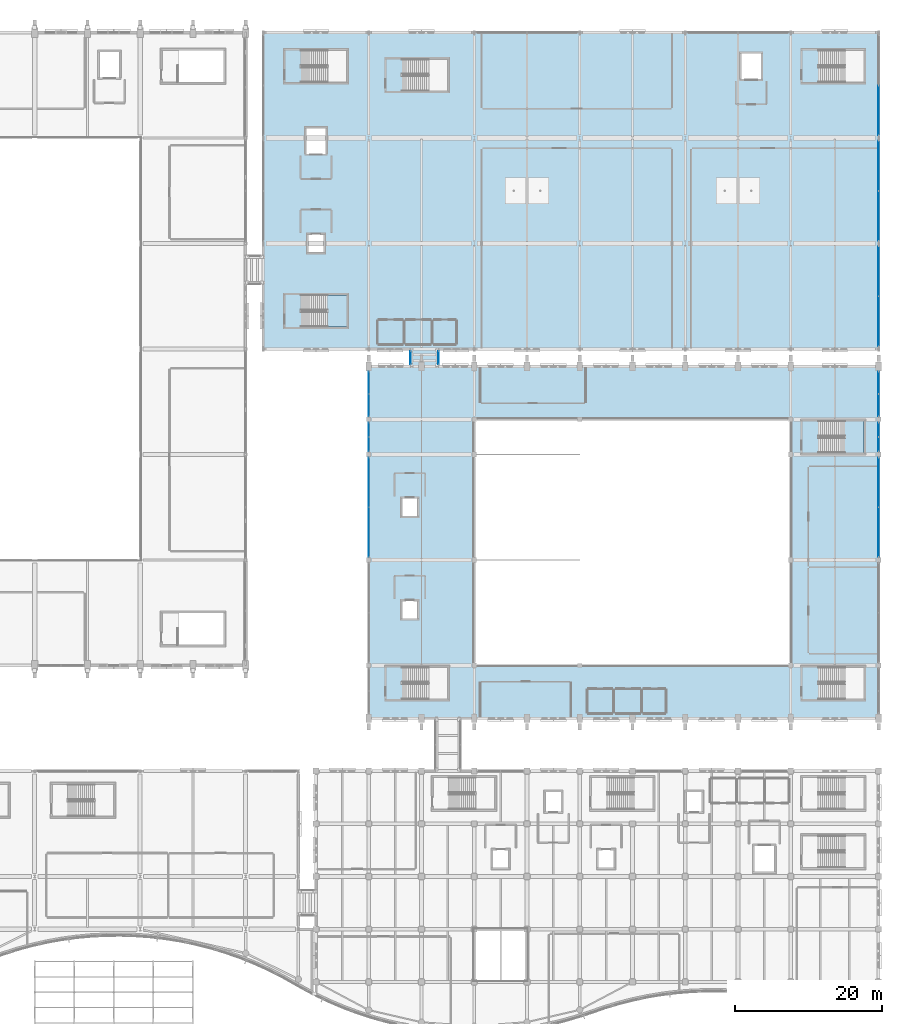
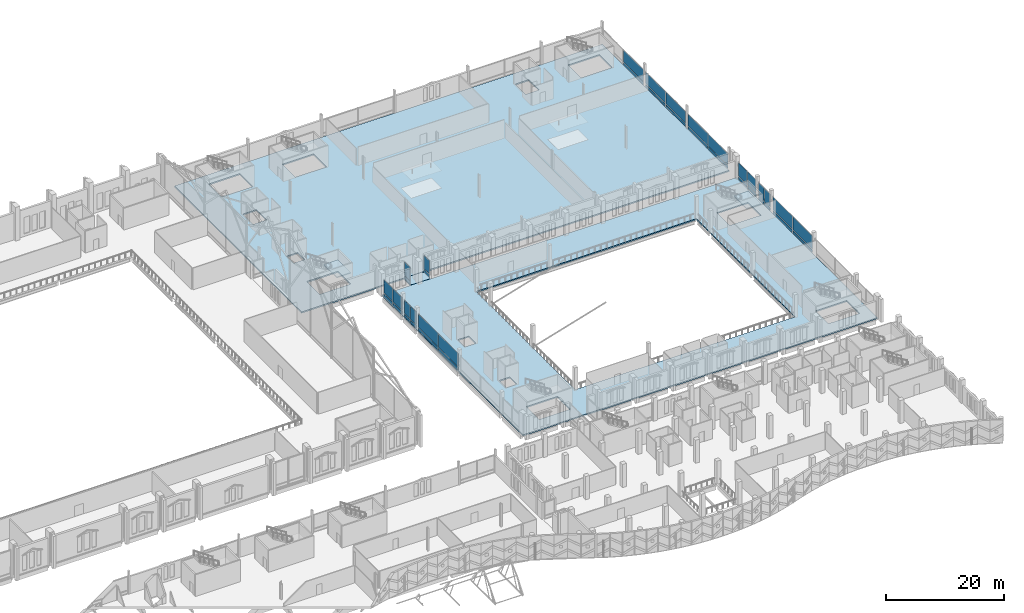
# One storey, part 133 of 220: 38 plates, 5 slabs, 13 elements without a shape of their own.
"""IFC4 building model written with IfcOpenShell, lengths in metres."""

from ifc_helpers import new_model, si_unit, direction, frame, origin, origin_2d, place, context, subcontext, project, spatial, polyline, rectangle, outline, extrude, material, layer, layer_set, type_object, element, aggregate, save


model = new_model("IFC4")

# Units and contexts
model_context = context("Model", 3, precision=1e-05, world=origin(), true_north=direction((0.0, 1.0)))
body_context = subcontext(model_context, "Body", "Model", "MODEL_VIEW")
ifc_project = project(units=[si_unit("LENGTHUNIT", "METRE"), si_unit("AREAUNIT", "SQUARE_METRE"), si_unit("VOLUMEUNIT", "CUBIC_METRE"), si_unit("PLANEANGLEUNIT", "RADIAN"), si_unit("MASSUNIT", "GRAM", prefix="KILO")], contexts=[model_context])

# Site, building, storey
site_placement = place(None, origin())
site = spatial("IfcSite", under=ifc_project, at=site_placement, CompositionType="ELEMENT")
building_placement = place(site_placement, origin())
building = spatial("IfcBuilding", under=site, at=building_placement, Name="Cendralis Lancet Convention Centre", CompositionType="ELEMENT")
storey_placement = place(building_placement, frame((0.0, 0.0, 5.39990234375)))
storey = spatial("IfcBuildingStorey", under=building, at=storey_placement, Name="L01", CompositionType="ELEMENT", Elevation=5.39990234375)

# Curtain wall, plate
ifc_material_1 = material(Name="Anodised bronze architectural aluminium", Category="aluminium")
curtain_wall_type_1 = type_object("IfcCurtainWallType", Name="ARC-CW-BR01", PredefinedType="USERDEFINED", material=ifc_material_1)
curtain_wall_1_placement = place(storey_placement, origin())
curtain_wall_1 = element("IfcCurtainWall", 1, at=curtain_wall_1_placement, inside=storey, type_object=curtain_wall_type_1, Name="L01 Curtain Wall CW-BR1 #197", ObjectType="CURTAIN WALL", PredefinedType="USERDEFINED")
ifc_material_2 = material(Name="Double-glazed low-E solar-control glass", Category="glass")
ifc_layer_1 = layer(ifc_material_2, 0.035888671875, Name="Double-glazed low-E solar-control glass")
ifc_layer_set_1 = layer_set([ifc_layer_1], Name="Double-glazed low-E solar-control glass")
plate_type_1 = type_object("IfcPlateType", Name="ARC-PL-GL01", PredefinedType="CURTAIN_PANEL", material=ifc_layer_set_1)
plate_1_placement = place(storey_placement, frame((144.8798828125, 92.39990234375, 0.820068359375), z_axis=(0.0, 0.0, 1.0), x_axis=(0.0, 1.0, 0.0)))
plate_1 = element("IfcPlate", 2, at=plate_1_placement, type_object=plate_type_1, Name="Vision Glass Panel CW2-CW-BR1-L01-197-PG0", PredefinedType="CURTAIN_PANEL", context=body_context, shape_type="SweptSolid", body=[
    extrude(rectangle(XDim=1.760009765625, YDim=0.035888671875, at=origin_2d()), origin(), (0.0, 0.0, 1.0), 2.7451171875),
])

curtain_wall_2_placement = place(storey_placement, origin())
curtain_wall_2 = element("IfcCurtainWall", 3, at=curtain_wall_2_placement, inside=storey, type_object=curtain_wall_type_1, Name="L01 Curtain Wall CW-BR1 #198", ObjectType="CURTAIN WALL", PredefinedType="USERDEFINED")
plate_2_placement = place(storey_placement, frame((148.719970703125, 92.39990234375, 0.820068359375), z_axis=(0.0, 0.0, 1.0), x_axis=(0.0, 1.0, 0.0)))
plate_2 = element("IfcPlate", 4, at=plate_2_placement, type_object=plate_type_1, Name="Vision Glass Panel CW2-CW-BR1-L01-198-PG0", PredefinedType="CURTAIN_PANEL", context=body_context, shape_type="SweptSolid", body=[
    extrude(rectangle(XDim=1.760009765625, YDim=0.035888671875, at=origin_2d()), origin(), (0.0, 0.0, 1.0), 2.7451171875),
])

# Curtain wall, plates
curtain_wall_type_2 = type_object("IfcCurtainWallType", Name="ARC-CW-PL01", PredefinedType="USERDEFINED", material=ifc_material_1)
curtain_wall_3_placement = place(storey_placement, origin())
curtain_wall_3 = element("IfcCurtainWall", 5, at=curtain_wall_3_placement, inside=storey, type_object=curtain_wall_type_2, Name="L01 Curtain Wall CW-PL1 #123", ObjectType="CURTAIN WALL", PredefinedType="USERDEFINED")
ifc_layer_2 = layer(ifc_material_2, 0.035888671875, Name="Double-glazed low-E solar-control glass")
ifc_layer_set_2 = layer_set([ifc_layer_2], Name="Double-glazed low-E solar-control glass")
plate_type_2 = type_object("IfcPlateType", Name="ARC-PL-GL02", PredefinedType="CURTAIN_PANEL", material=ifc_layer_set_2)
plate_3_placement = place(storey_placement, frame((208.800048828125, 75.41259765625, 0.830078125), z_axis=(0.0, 0.0, 1.0), x_axis=(0.0, -1.0, 0.0)))
plate_3 = element("IfcPlate", 6, at=plate_3_placement, type_object=plate_type_2, Name="Vision Glass Panel CW2-CW-PL1-L01-123-PG0", PredefinedType="CURTAIN_PANEL", context=body_context, shape_type="SweptSolid", body=[
    extrude(rectangle(XDim=6.6650390625, YDim=0.035888671875, at=origin_2d()), origin(), (0.0, 0.0, 1.0), 2.72509765625),
])
plate_4_placement = place(storey_placement, frame((208.800048828125, 68.58740234375, 0.830078125), z_axis=(0.0, 0.0, 1.0), x_axis=(0.0, -1.0, 0.0)))
plate_4 = element("IfcPlate", 7, at=plate_4_placement, type_object=plate_type_2, Name="Vision Glass Panel CW2-CW-PL1-L01-123-PG1", PredefinedType="CURTAIN_PANEL", context=body_context, shape_type="SweptSolid", body=[
    extrude(rectangle(XDim=6.6650390625, YDim=0.035888671875, at=origin_2d()), origin(), (0.0, 0.0, 1.0), 2.72509765625),
])

curtain_wall_4_placement = place(storey_placement, origin())
curtain_wall_4 = element("IfcCurtainWall", 8, at=curtain_wall_4_placement, inside=storey, type_object=curtain_wall_type_2, Name="L01 Curtain Wall CW-PL1 #124", ObjectType="CURTAIN WALL", PredefinedType="USERDEFINED")
plate_5_placement = place(storey_placement, frame((208.800048828125, 82.612548828125, 0.830078125), z_axis=(0.0, 0.0, 1.0), x_axis=(0.0, -1.0, 0.0)))
plate_5 = element("IfcPlate", 9, at=plate_5_placement, type_object=plate_type_2, Name="Vision Glass Panel CW2-CW-PL1-L01-124-PG0", PredefinedType="CURTAIN_PANEL", context=body_context, shape_type="SweptSolid", body=[
    extrude(rectangle(XDim=1.864990234375, YDim=0.035888671875, at=origin_2d()), origin(), (0.0, 0.0, 1.0), 2.72509765625),
])
plate_6_placement = place(storey_placement, frame((208.800048828125, 80.58740234375, 0.830078125), z_axis=(0.0, 0.0, 1.0), x_axis=(0.0, -1.0, 0.0)))
plate_6 = element("IfcPlate", 10, at=plate_6_placement, type_object=plate_type_2, Name="Vision Glass Panel CW2-CW-PL1-L01-124-PG1", PredefinedType="CURTAIN_PANEL", context=body_context, shape_type="SweptSolid", body=[
    extrude(rectangle(XDim=1.864990234375, YDim=0.035888671875, at=origin_2d()), origin(), (0.0, 0.0, 1.0), 2.72509765625),
])

curtain_wall_5_placement = place(storey_placement, origin())
curtain_wall_5 = element("IfcCurtainWall", 11, at=curtain_wall_5_placement, inside=storey, type_object=curtain_wall_type_2, Name="L01 Curtain Wall CW-PL1 #125", ObjectType="CURTAIN WALL", PredefinedType="USERDEFINED")
plate_7_placement = place(storey_placement, frame((208.800048828125, 89.006103515625, 0.830078125), z_axis=(0.0, 0.0, 1.0), x_axis=(0.0, -1.0, 0.0)))
plate_7 = element("IfcPlate", 12, at=plate_7_placement, type_object=plate_type_2, Name="Vision Glass Panel CW2-CW-PL1-L01-125-PG0", PredefinedType="CURTAIN_PANEL", context=body_context, shape_type="SweptSolid", body=[
    extrude(rectangle(XDim=2.927490234375, YDim=0.035888671875, at=origin_2d()), origin(), (0.0, 0.0, 1.0), 2.72509765625),
])
plate_8_placement = place(storey_placement, frame((208.800048828125, 85.918701171875, 0.830078125), z_axis=(0.0, 0.0, 1.0), x_axis=(0.0, -1.0, 0.0)))
plate_8 = element("IfcPlate", 13, at=plate_8_placement, type_object=plate_type_2, Name="Vision Glass Panel CW2-CW-PL1-L01-125-PG1", PredefinedType="CURTAIN_PANEL", context=body_context, shape_type="SweptSolid", body=[
    extrude(rectangle(XDim=2.927490234375, YDim=0.035888671875, at=origin_2d()), origin(), (0.0, 0.0, 1.0), 2.72509765625),
])

curtain_wall_type_3 = type_object("IfcCurtainWallType", Name="ARC-CW-BL02", PredefinedType="USERDEFINED", material=ifc_material_1)
curtain_wall_6_placement = place(storey_placement, origin())
curtain_wall_6 = element("IfcCurtainWall", 14, at=curtain_wall_6_placement, inside=storey, type_object=curtain_wall_type_3, Name="L01 Curtain Wall CW-BL2 #152", ObjectType="CURTAIN WALL", PredefinedType="USERDEFINED")
plate_9_placement = place(storey_placement, frame((208.800048828125, 104.237548828125, 0.792724609375), z_axis=(0.0, 0.0, 1.0), x_axis=(0.0, -1.0, 0.0)))
plate_9 = element("IfcPlate", 15, at=plate_9_placement, type_object=plate_type_2, Name="Vision Glass Panel CW2-CW-BL2-L01-152-PG0", PredefinedType="CURTAIN_PANEL", context=body_context, shape_type="SweptSolid", body=[
    extrude(rectangle(XDim=6.715087890625, YDim=0.035888671875, at=origin_2d()), origin(), (0.0, 0.0, 1.0), 2.42236328125),
])
plate_10_placement = place(storey_placement, frame((208.800048828125, 97.362548828125, 0.792724609375), z_axis=(0.0, 0.0, 1.0), x_axis=(0.0, -1.0, 0.0)))
plate_10 = element("IfcPlate", 16, at=plate_10_placement, type_object=plate_type_2, Name="Vision Glass Panel CW2-CW-BL2-L01-152-PG1", PredefinedType="CURTAIN_PANEL", context=body_context, shape_type="SweptSolid", body=[
    extrude(rectangle(XDim=6.715087890625, YDim=0.035888671875, at=origin_2d()), origin(), (0.0, 0.0, 1.0), 2.42236328125),
])

curtain_wall_7_placement = place(storey_placement, origin())
curtain_wall_7 = element("IfcCurtainWall", 17, at=curtain_wall_7_placement, inside=storey, type_object=curtain_wall_type_3, Name="L01 Curtain Wall CW-BL2 #153", ObjectType="CURTAIN WALL", PredefinedType="USERDEFINED")
plate_11_placement = place(storey_placement, frame((208.800048828125, 118.637451171875, 0.792724609375), z_axis=(0.0, 0.0, 1.0), x_axis=(0.0, -1.0, 0.0)))
plate_11 = element("IfcPlate", 18, at=plate_11_placement, type_object=plate_type_2, Name="Vision Glass Panel CW2-CW-BL2-L01-153-PG0", PredefinedType="CURTAIN_PANEL", context=body_context, shape_type="SweptSolid", body=[
    extrude(rectangle(XDim=6.715087890625, YDim=0.035888671875, at=origin_2d()), origin(), (0.0, 0.0, 1.0), 2.42236328125),
])
plate_12_placement = place(storey_placement, frame((208.800048828125, 111.762451171875, 0.792724609375), z_axis=(0.0, 0.0, 1.0), x_axis=(0.0, -1.0, 0.0)))
plate_12 = element("IfcPlate", 19, at=plate_12_placement, type_object=plate_type_2, Name="Vision Glass Panel CW2-CW-BL2-L01-153-PG1", PredefinedType="CURTAIN_PANEL", context=body_context, shape_type="SweptSolid", body=[
    extrude(rectangle(XDim=6.715087890625, YDim=0.035888671875, at=origin_2d()), origin(), (0.0, 0.0, 1.0), 2.42236328125),
])

# Curtain wall, plate
curtain_wall_8_placement = place(storey_placement, origin())
curtain_wall_8 = element("IfcCurtainWall", 20, at=curtain_wall_8_placement, inside=storey, type_object=curtain_wall_type_3, Name="L01 Curtain Wall CW-BL2 #154", ObjectType="CURTAIN WALL", PredefinedType="USERDEFINED")
plate_13_placement = place(storey_placement, frame((208.800048828125, 126.16259765625, 0.792724609375), z_axis=(0.0, 0.0, 1.0), x_axis=(0.0, -1.0, 0.0)))
plate_13 = element("IfcPlate", 21, at=plate_13_placement, type_object=plate_type_2, Name="Vision Glass Panel CW2-CW-BL2-L01-154-PG1", PredefinedType="CURTAIN_PANEL", context=body_context, shape_type="SweptSolid", body=[
    extrude(rectangle(XDim=6.715087890625, YDim=0.035888671875, at=origin_2d()), origin(), (0.0, 0.0, 1.0), 2.42236328125),
])

# Curtain wall, plates
curtain_wall_9_placement = place(storey_placement, origin())
curtain_wall_9 = element("IfcCurtainWall", 22, at=curtain_wall_9_placement, inside=storey, type_object=curtain_wall_type_2, Name="L01 Curtain Wall CW-PL1 #118", ObjectType="CURTAIN WALL", PredefinedType="USERDEFINED")
ifc_layer_3 = layer(ifc_material_2, 0.035888671875, Name="Double-glazed low-E solar-control glass")
ifc_layer_set_3 = layer_set([ifc_layer_3], Name="Double-glazed low-E solar-control glass")
plate_type_3 = type_object("IfcPlateType", Name="ARC-PL-GL03", PredefinedType="CURTAIN_PANEL", material=ifc_layer_set_3)
plate_14_placement = place(storey_placement, frame((139.199951171875, 68.58740234375, 0.820068359375), z_axis=(0.0, 0.0, 1.0), x_axis=(0.0, 1.0, 0.0)))
plate_14 = element("IfcPlate", 23, at=plate_14_placement, type_object=plate_type_3, Name="Vision Glass Panel CW2-CW-PL1-L01-118-PG0", PredefinedType="CURTAIN_PANEL", context=body_context, shape_type="SweptSolid", body=[
    extrude(rectangle(XDim=6.6650390625, YDim=0.035888671875, at=origin_2d()), origin(), (0.0, 0.0, 1.0), 2.7451171875),
])
plate_15_placement = place(storey_placement, frame((139.199951171875, 75.41259765625, 0.820068359375), z_axis=(0.0, 0.0, 1.0), x_axis=(0.0, 1.0, 0.0)))
plate_15 = element("IfcPlate", 24, at=plate_15_placement, type_object=plate_type_3, Name="Vision Glass Panel CW2-CW-PL1-L01-118-PG1", PredefinedType="CURTAIN_PANEL", context=body_context, shape_type="SweptSolid", body=[
    extrude(rectangle(XDim=6.6650390625, YDim=0.035888671875, at=origin_2d()), origin(), (0.0, 0.0, 1.0), 2.7451171875),
])

curtain_wall_10_placement = place(storey_placement, origin())
curtain_wall_10 = element("IfcCurtainWall", 25, at=curtain_wall_10_placement, inside=storey, type_object=curtain_wall_type_2, Name="L01 Curtain Wall CW-PL1 #119", ObjectType="CURTAIN WALL", PredefinedType="USERDEFINED")
plate_16_placement = place(storey_placement, frame((139.199951171875, 80.58740234375, 0.820068359375), z_axis=(0.0, 0.0, 1.0), x_axis=(0.0, 1.0, 0.0)))
plate_16 = element("IfcPlate", 26, at=plate_16_placement, type_object=plate_type_3, Name="Vision Glass Panel CW2-CW-PL1-L01-119-PG0", PredefinedType="CURTAIN_PANEL", context=body_context, shape_type="SweptSolid", body=[
    extrude(rectangle(XDim=1.864990234375, YDim=0.035888671875, at=origin_2d()), origin(), (0.0, 0.0, 1.0), 2.7451171875),
])
plate_17_placement = place(storey_placement, frame((139.199951171875, 82.612548828125, 0.820068359375), z_axis=(0.0, 0.0, 1.0), x_axis=(0.0, 1.0, 0.0)))
plate_17 = element("IfcPlate", 27, at=plate_17_placement, type_object=plate_type_3, Name="Vision Glass Panel CW2-CW-PL1-L01-119-PG1", PredefinedType="CURTAIN_PANEL", context=body_context, shape_type="SweptSolid", body=[
    extrude(rectangle(XDim=1.864990234375, YDim=0.035888671875, at=origin_2d()), origin(), (0.0, 0.0, 1.0), 2.7451171875),
])

curtain_wall_11_placement = place(storey_placement, origin())
curtain_wall_11 = element("IfcCurtainWall", 28, at=curtain_wall_11_placement, inside=storey, type_object=curtain_wall_type_2, Name="L01 Curtain Wall CW-PL1 #120", ObjectType="CURTAIN WALL", PredefinedType="USERDEFINED")
plate_18_placement = place(storey_placement, frame((139.199951171875, 85.918701171875, 0.820068359375), z_axis=(0.0, 0.0, 1.0), x_axis=(0.0, 1.0, 0.0)))
plate_18 = element("IfcPlate", 29, at=plate_18_placement, type_object=plate_type_3, Name="Vision Glass Panel CW2-CW-PL1-L01-120-PG0", PredefinedType="CURTAIN_PANEL", context=body_context, shape_type="SweptSolid", body=[
    extrude(rectangle(XDim=2.927490234375, YDim=0.035888671875, at=origin_2d()), origin(), (0.0, 0.0, 1.0), 2.7451171875),
])
plate_19_placement = place(storey_placement, frame((139.199951171875, 89.006103515625, 0.820068359375), z_axis=(0.0, 0.0, 1.0), x_axis=(0.0, 1.0, 0.0)))
plate_19 = element("IfcPlate", 30, at=plate_19_placement, type_object=plate_type_3, Name="Vision Glass Panel CW2-CW-PL1-L01-120-PG1", PredefinedType="CURTAIN_PANEL", context=body_context, shape_type="SweptSolid", body=[
    extrude(rectangle(XDim=2.927490234375, YDim=0.035888671875, at=origin_2d()), origin(), (0.0, 0.0, 1.0), 2.7451171875),
])

# Plate
ifc_material_3 = material(Name="Insulated ceramic-fritted spandrel glass", Category="glass")
ifc_layer_4 = layer(ifc_material_3, 0.044921875, Name="Insulated ceramic-fritted spandrel glass")
ifc_layer_set_4 = layer_set([ifc_layer_4], Name="Insulated ceramic-fritted spandrel glass")
plate_type_4 = type_object("IfcPlateType", Name="ARC-PL-SP01", PredefinedType="CURTAIN_PANEL", material=ifc_layer_set_4)
plate_20_placement = place(storey_placement, frame((139.199951171875, 68.58740234375, 0.06982421875), z_axis=(0.0, 0.0, 1.0), x_axis=(0.0, 1.0, 0.0)))
plate_20 = element("IfcPlate", 31, at=plate_20_placement, type_object=plate_type_4, Name="Spandrel Panel CW2-CW-PL1-L01-118-PS0", PredefinedType="CURTAIN_PANEL", context=body_context, shape_type="SweptSolid", body=[
    extrude(rectangle(XDim=6.6650390625, YDim=0.044921875, at=origin_2d()), origin(), (0.0, 0.0, 1.0), 0.610107421875),
])

plate_21_placement = place(storey_placement, frame((139.199951171875, 75.41259765625, 0.06982421875), z_axis=(0.0, 0.0, 1.0), x_axis=(0.0, 1.0, 0.0)))
plate_21 = element("IfcPlate", 32, at=plate_21_placement, type_object=plate_type_4, Name="Spandrel Panel CW2-CW-PL1-L01-118-PS1", PredefinedType="CURTAIN_PANEL", context=body_context, shape_type="SweptSolid", body=[
    extrude(rectangle(XDim=6.6650390625, YDim=0.044921875, at=origin_2d()), origin(), (0.0, 0.0, 1.0), 0.610107421875),
])

aggregate(curtain_wall_9, [plate_20, plate_14, plate_21, plate_15])

plate_22_placement = place(storey_placement, frame((139.199951171875, 80.58740234375, 0.06982421875), z_axis=(0.0, 0.0, 1.0), x_axis=(0.0, 1.0, 0.0)))
plate_22 = element("IfcPlate", 33, at=plate_22_placement, type_object=plate_type_4, Name="Spandrel Panel CW2-CW-PL1-L01-119-PS0", PredefinedType="CURTAIN_PANEL", context=body_context, shape_type="SweptSolid", body=[
    extrude(rectangle(XDim=1.864990234375, YDim=0.044921875, at=origin_2d()), origin(), (0.0, 0.0, 1.0), 0.610107421875),
])

plate_23_placement = place(storey_placement, frame((139.199951171875, 82.612548828125, 0.06982421875), z_axis=(0.0, 0.0, 1.0), x_axis=(0.0, 1.0, 0.0)))
plate_23 = element("IfcPlate", 34, at=plate_23_placement, type_object=plate_type_4, Name="Spandrel Panel CW2-CW-PL1-L01-119-PS1", PredefinedType="CURTAIN_PANEL", context=body_context, shape_type="SweptSolid", body=[
    extrude(rectangle(XDim=1.864990234375, YDim=0.044921875, at=origin_2d()), origin(), (0.0, 0.0, 1.0), 0.610107421875),
])

aggregate(curtain_wall_10, [plate_22, plate_16, plate_23, plate_17])

plate_24_placement = place(storey_placement, frame((139.199951171875, 85.918701171875, 0.06982421875), z_axis=(0.0, 0.0, 1.0), x_axis=(0.0, 1.0, 0.0)))
plate_24 = element("IfcPlate", 35, at=plate_24_placement, type_object=plate_type_4, Name="Spandrel Panel CW2-CW-PL1-L01-120-PS0", PredefinedType="CURTAIN_PANEL", context=body_context, shape_type="SweptSolid", body=[
    extrude(rectangle(XDim=2.927490234375, YDim=0.044921875, at=origin_2d()), origin(), (0.0, 0.0, 1.0), 0.610107421875),
])

plate_25_placement = place(storey_placement, frame((139.199951171875, 89.006103515625, 0.06982421875), z_axis=(0.0, 0.0, 1.0), x_axis=(0.0, 1.0, 0.0)))
plate_25 = element("IfcPlate", 36, at=plate_25_placement, type_object=plate_type_4, Name="Spandrel Panel CW2-CW-PL1-L01-120-PS1", PredefinedType="CURTAIN_PANEL", context=body_context, shape_type="SweptSolid", body=[
    extrude(rectangle(XDim=2.927490234375, YDim=0.044921875, at=origin_2d()), origin(), (0.0, 0.0, 1.0), 0.610107421875),
])

aggregate(curtain_wall_11, [plate_24, plate_18, plate_25, plate_19])

plate_26_placement = place(storey_placement, frame((208.800048828125, 75.41259765625, 0.080078125), z_axis=(0.0, 0.0, 1.0), x_axis=(0.0, -1.0, 0.0)))
plate_26 = element("IfcPlate", 37, at=plate_26_placement, type_object=plate_type_4, Name="Spandrel Panel CW2-CW-PL1-L01-123-PS0", PredefinedType="CURTAIN_PANEL", context=body_context, shape_type="SweptSolid", body=[
    extrude(rectangle(XDim=6.6650390625, YDim=0.044921875, at=origin_2d()), origin(), (0.0, 0.0, 1.0), 0.590087890625),
])

plate_27_placement = place(storey_placement, frame((208.800048828125, 68.58740234375, 0.080078125), z_axis=(0.0, 0.0, 1.0), x_axis=(0.0, -1.0, 0.0)))
plate_27 = element("IfcPlate", 38, at=plate_27_placement, type_object=plate_type_4, Name="Spandrel Panel CW2-CW-PL1-L01-123-PS1", PredefinedType="CURTAIN_PANEL", context=body_context, shape_type="SweptSolid", body=[
    extrude(rectangle(XDim=6.6650390625, YDim=0.044921875, at=origin_2d()), origin(), (0.0, 0.0, 1.0), 0.590087890625),
])

aggregate(curtain_wall_3, [plate_26, plate_3, plate_27, plate_4])

plate_28_placement = place(storey_placement, frame((208.800048828125, 82.612548828125, 0.080078125), z_axis=(0.0, 0.0, 1.0), x_axis=(0.0, -1.0, 0.0)))
plate_28 = element("IfcPlate", 39, at=plate_28_placement, type_object=plate_type_4, Name="Spandrel Panel CW2-CW-PL1-L01-124-PS0", PredefinedType="CURTAIN_PANEL", context=body_context, shape_type="SweptSolid", body=[
    extrude(rectangle(XDim=1.864990234375, YDim=0.044921875, at=origin_2d()), origin(), (0.0, 0.0, 1.0), 0.590087890625),
])

plate_29_placement = place(storey_placement, frame((208.800048828125, 80.58740234375, 0.080078125), z_axis=(0.0, 0.0, 1.0), x_axis=(0.0, -1.0, 0.0)))
plate_29 = element("IfcPlate", 40, at=plate_29_placement, type_object=plate_type_4, Name="Spandrel Panel CW2-CW-PL1-L01-124-PS1", PredefinedType="CURTAIN_PANEL", context=body_context, shape_type="SweptSolid", body=[
    extrude(rectangle(XDim=1.864990234375, YDim=0.044921875, at=origin_2d()), origin(), (0.0, 0.0, 1.0), 0.590087890625),
])

aggregate(curtain_wall_4, [plate_28, plate_5, plate_29, plate_6])

plate_30_placement = place(storey_placement, frame((208.800048828125, 89.006103515625, 0.080078125), z_axis=(0.0, 0.0, 1.0), x_axis=(0.0, -1.0, 0.0)))
plate_30 = element("IfcPlate", 41, at=plate_30_placement, type_object=plate_type_4, Name="Spandrel Panel CW2-CW-PL1-L01-125-PS0", PredefinedType="CURTAIN_PANEL", context=body_context, shape_type="SweptSolid", body=[
    extrude(rectangle(XDim=2.927490234375, YDim=0.044921875, at=origin_2d()), origin(), (0.0, 0.0, 1.0), 0.590087890625),
])

plate_31_placement = place(storey_placement, frame((208.800048828125, 85.918701171875, 0.080078125), z_axis=(0.0, 0.0, 1.0), x_axis=(0.0, -1.0, 0.0)))
plate_31 = element("IfcPlate", 42, at=plate_31_placement, type_object=plate_type_4, Name="Spandrel Panel CW2-CW-PL1-L01-125-PS1", PredefinedType="CURTAIN_PANEL", context=body_context, shape_type="SweptSolid", body=[
    extrude(rectangle(XDim=2.927490234375, YDim=0.044921875, at=origin_2d()), origin(), (0.0, 0.0, 1.0), 0.590087890625),
])

aggregate(curtain_wall_5, [plate_30, plate_7, plate_31, plate_8])

plate_32_placement = place(storey_placement, frame((208.800048828125, 104.237548828125, 0.0703125), z_axis=(0.0, 0.0, 1.0), x_axis=(0.0, -1.0, 0.0)))
plate_32 = element("IfcPlate", 43, at=plate_32_placement, type_object=plate_type_4, Name="Spandrel Panel CW2-CW-BL2-L01-152-PS0", PredefinedType="CURTAIN_PANEL", context=body_context, shape_type="SweptSolid", body=[
    extrude(rectangle(XDim=6.715087890625, YDim=0.044921875, at=origin_2d()), origin(), (0.0, 0.0, 1.0), 0.582763671875),
])

plate_33_placement = place(storey_placement, frame((208.800048828125, 97.362548828125, 0.0703125), z_axis=(0.0, 0.0, 1.0), x_axis=(0.0, -1.0, 0.0)))
plate_33 = element("IfcPlate", 44, at=plate_33_placement, type_object=plate_type_4, Name="Spandrel Panel CW2-CW-BL2-L01-152-PS1", PredefinedType="CURTAIN_PANEL", context=body_context, shape_type="SweptSolid", body=[
    extrude(rectangle(XDim=6.715087890625, YDim=0.044921875, at=origin_2d()), origin(), (0.0, 0.0, 1.0), 0.582763671875),
])

aggregate(curtain_wall_6, [plate_32, plate_9, plate_33, plate_10])

plate_34_placement = place(storey_placement, frame((208.800048828125, 118.637451171875, 0.0703125), z_axis=(0.0, 0.0, 1.0), x_axis=(0.0, -1.0, 0.0)))
plate_34 = element("IfcPlate", 45, at=plate_34_placement, type_object=plate_type_4, Name="Spandrel Panel CW2-CW-BL2-L01-153-PS0", PredefinedType="CURTAIN_PANEL", context=body_context, shape_type="SweptSolid", body=[
    extrude(rectangle(XDim=6.715087890625, YDim=0.044921875, at=origin_2d()), origin(), (0.0, 0.0, 1.0), 0.582763671875),
])

plate_35_placement = place(storey_placement, frame((208.800048828125, 111.762451171875, 0.0703125), z_axis=(0.0, 0.0, 1.0), x_axis=(0.0, -1.0, 0.0)))
plate_35 = element("IfcPlate", 46, at=plate_35_placement, type_object=plate_type_4, Name="Spandrel Panel CW2-CW-BL2-L01-153-PS1", PredefinedType="CURTAIN_PANEL", context=body_context, shape_type="SweptSolid", body=[
    extrude(rectangle(XDim=6.715087890625, YDim=0.044921875, at=origin_2d()), origin(), (0.0, 0.0, 1.0), 0.582763671875),
])

aggregate(curtain_wall_7, [plate_34, plate_11, plate_35, plate_12])

plate_36_placement = place(storey_placement, frame((208.800048828125, 126.16259765625, 0.0703125), z_axis=(0.0, 0.0, 1.0), x_axis=(0.0, -1.0, 0.0)))
plate_36 = element("IfcPlate", 47, at=plate_36_placement, type_object=plate_type_4, Name="Spandrel Panel CW2-CW-BL2-L01-154-PS1", PredefinedType="CURTAIN_PANEL", context=body_context, shape_type="SweptSolid", body=[
    extrude(rectangle(XDim=6.715087890625, YDim=0.044921875, at=origin_2d()), origin(), (0.0, 0.0, 1.0), 0.582763671875),
])

aggregate(curtain_wall_8, [plate_36, plate_13])

plate_37_placement = place(storey_placement, frame((144.8798828125, 92.39990234375, 0.06982421875), z_axis=(0.0, 0.0, 1.0), x_axis=(0.0, 1.0, 0.0)))
plate_37 = element("IfcPlate", 48, at=plate_37_placement, type_object=plate_type_4, Name="Spandrel Panel CW2-CW-BR1-L01-197-PS0", PredefinedType="CURTAIN_PANEL", context=body_context, shape_type="SweptSolid", body=[
    extrude(rectangle(XDim=1.760009765625, YDim=0.044921875, at=origin_2d()), origin(), (0.0, 0.0, 1.0), 0.610107421875),
])

aggregate(curtain_wall_1, [plate_37, plate_1])

plate_38_placement = place(storey_placement, frame((148.719970703125, 92.39990234375, 0.06982421875), z_axis=(0.0, 0.0, 1.0), x_axis=(0.0, 1.0, 0.0)))
plate_38 = element("IfcPlate", 49, at=plate_38_placement, type_object=plate_type_4, Name="Spandrel Panel CW2-CW-BR1-L01-198-PS0", PredefinedType="CURTAIN_PANEL", context=body_context, shape_type="SweptSolid", body=[
    extrude(rectangle(XDim=1.760009765625, YDim=0.044921875, at=origin_2d()), origin(), (0.0, 0.0, 1.0), 0.610107421875),
])

aggregate(curtain_wall_2, [plate_38, plate_2])

# Slabs
ifc_material_4 = material(Name="Concrete G35 (C35/45)", Category="concrete")
ifc_layer_5 = layer(ifc_material_4, 0.219970703125, Name="Concrete G35 (C35/45)")
ifc_layer_set_5 = layer_set([ifc_layer_5], Name="Concrete G35 (C35/45)")
slab_type_1 = type_object("IfcSlabType", Name="STR-SL-FS22", PredefinedType="FLOOR", material=ifc_layer_set_5)
slab_1_placement = place(storey_placement, frame((0.0, 0.0, -0.219970703125)))
element("IfcSlab", 50, at=slab_1_placement, inside=storey, type_object=slab_type_1, Name="Plenary-Ballroom Link Bridge Link Slab L01", PredefinedType="FLOOR", context=body_context, shape_type="SweptSolid", body=[
    extrude(outline(polyline([(145.14990234375, 91.199951171875), (148.449951171875, 91.199951171875), (148.800048828125, 91.550048828125), (148.800048828125, 93.25), (148.449951171875, 93.60009765625), (145.14990234375, 93.60009765625), (144.800048828125, 93.25), (144.800048828125, 91.550048828125), (145.14990234375, 91.199951171875)])), origin(), (0.0, 0.0, 1.0), 0.219970703125),
])
ifc_layer_6 = layer(ifc_material_4, 0.260009765625, Name="Concrete G35 (C35/45)")
ifc_layer_set_6 = layer_set([ifc_layer_6], Name="Concrete G35 (C35/45)")
slab_type_2 = type_object("IfcSlabType", Name="STR-SL-FS26", PredefinedType="FLOOR", material=ifc_layer_set_6)
slab_2_placement = place(storey_placement, frame((0.0, 0.0, -0.260009765625)))
element("IfcSlab", 51, at=slab_2_placement, inside=storey, type_object=slab_type_2, Name="L01 V2 Floor Slab FS-260", PredefinedType="FLOOR", context=body_context, shape_type="SweptSolid", body=[
    extrude(outline(polyline([(139.199951171875, 43.199951171875), (208.800048828125, 43.199951171875), (208.800048828125, 91.199951171875), (139.199951171875, 91.199951171875), (139.199951171875, 43.199951171875)]), holes=[polyline([(153.60009765625, 50.39990234375), (196.800048828125, 50.39990234375), (196.800048828125, 84.0), (153.60009765625, 84.0), (153.60009765625, 50.39990234375)]), polyline([(143.909912109375, 45.800048828125), (150.0, 45.800048828125), (150.0, 50.179931640625), (143.909912109375, 50.179931640625), (143.909912109375, 45.800048828125)]), polyline([(200.7099609375, 45.800048828125), (206.800048828125, 45.800048828125), (206.800048828125, 50.179931640625), (200.7099609375, 50.179931640625), (200.7099609375, 45.800048828125)]), polyline([(200.7099609375, 79.39990234375), (206.800048828125, 79.39990234375), (206.800048828125, 83.780029296875), (200.7099609375, 83.780029296875), (200.7099609375, 79.39990234375)]), polyline([(143.75, 56.800048828125), (145.85009765625, 56.800048828125), (145.85009765625, 59.199951171875), (143.75, 59.199951171875), (143.75, 56.800048828125)]), polyline([(143.75, 70.800048828125), (145.85009765625, 70.800048828125), (145.85009765625, 73.199951171875), (143.75, 73.199951171875), (143.75, 70.800048828125)])]), origin(), (0.0, 0.0, 1.0), 0.260009765625),
])
ifc_layer_7 = layer(ifc_material_4, 0.280029296875, Name="Concrete G35 (C35/45)")
ifc_layer_set_7 = layer_set([ifc_layer_7], Name="Concrete G35 (C35/45)")
slab_type_3 = type_object("IfcSlabType", Name="STR-SL-FS28", PredefinedType="FLOOR", material=ifc_layer_set_7)
slab_3_placement = place(storey_placement, frame((0.0, 0.0, -0.27978515625)))
element("IfcSlab", 52, at=slab_3_placement, inside=storey, type_object=slab_type_3, Name="L01 V3 Floor Slab FS-280", PredefinedType="FLOOR", context=body_context, shape_type="SweptSolid", body=[
    extrude(outline(polyline([(124.800048828125, 93.60009765625), (208.800048828125, 93.60009765625), (208.800048828125, 136.800048828125), (124.800048828125, 136.800048828125), (124.800048828125, 93.60009765625)]), holes=[polyline([(130.110107421875, 130.0), (136.199951171875, 130.0), (136.199951171875, 134.3798828125), (130.110107421875, 134.3798828125), (130.110107421875, 130.0)]), polyline([(200.7099609375, 130.0), (206.800048828125, 130.0), (206.800048828125, 134.3798828125), (200.7099609375, 134.3798828125), (200.7099609375, 130.0)]), polyline([(130.110107421875, 96.60009765625), (136.199951171875, 96.60009765625), (136.199951171875, 100.97998046875), (130.110107421875, 100.97998046875), (130.110107421875, 96.60009765625)]), polyline([(143.909912109375, 128.800048828125), (150.0, 128.800048828125), (150.0, 133.179931640625), (143.909912109375, 133.179931640625), (143.909912109375, 128.800048828125)]), polyline([(130.949951171875, 106.800048828125), (133.050048828125, 106.800048828125), (133.050048828125, 109.199951171875), (130.949951171875, 109.199951171875), (130.949951171875, 106.800048828125)]), polyline([(130.64990234375, 120.25), (133.35009765625, 120.25), (133.35009765625, 123.75), (130.64990234375, 123.75), (130.64990234375, 120.25)]), polyline([(190.050048828125, 130.449951171875), (192.75, 130.449951171875), (192.75, 133.949951171875), (190.050048828125, 133.949951171875), (190.050048828125, 130.449951171875)])]), origin(), (0.0, 0.0, 1.0), 0.27978515625),
])

# Stair, slab
stair_type = type_object("IfcStairType", Name="ARC-ST-CORE", PredefinedType="HALF_TURN_STAIR", material=ifc_material_4)
stair_1_placement = place(storey_placement, origin())
stair_1 = element("IfcStair", 53, at=stair_1_placement, inside=storey, type_object=stair_type, Name="L01 Protected Exit Stair ST-07", PredefinedType="HALF_TURN_STAIR")
ifc_layer_8 = layer(ifc_material_4, 0.199951171875, Name="Concrete G35 (C35/45)")
ifc_layer_set_8 = layer_set([ifc_layer_8], Name="Concrete G35 (C35/45)")
slab_type_4 = type_object("IfcSlabType", Name="STR-SL-LAND", PredefinedType="LANDING", material=ifc_layer_set_8)
slab_4_placement = place(storey_placement, frame((0.0, 0.0, 2.2001953125)))
slab_4 = element("IfcSlab", 54, at=slab_4_placement, type_object=slab_type_4, Name="ST-07 landing 1", PredefinedType="LANDING", context=body_context, shape_type="SweptSolid", body=[
    extrude(outline(polyline([(133.429931640625, 96.60009765625), (136.199951171875, 96.60009765625), (136.199951171875, 100.97998046875), (133.429931640625, 100.97998046875), (133.429931640625, 96.60009765625)])), origin(), (0.0, 0.0, 1.0), 0.199951171875),
])
aggregate(stair_1, [slab_4])

stair_2_placement = place(storey_placement, origin())
stair_2 = element("IfcStair", 55, at=stair_2_placement, inside=storey, type_object=stair_type, Name="L01 Protected Exit Stair ST-10", PredefinedType="HALF_TURN_STAIR")
slab_5_placement = place(storey_placement, frame((0.0, 0.0, 2.2001953125)))
slab_5 = element("IfcSlab", 56, at=slab_5_placement, type_object=slab_type_4, Name="ST-10 landing 1", PredefinedType="LANDING", context=body_context, shape_type="SweptSolid", body=[
    extrude(outline(polyline([(204.030029296875, 79.39990234375), (206.800048828125, 79.39990234375), (206.800048828125, 83.780029296875), (204.030029296875, 83.780029296875), (204.030029296875, 79.39990234375)])), origin(), (0.0, 0.0, 1.0), 0.199951171875),
])
aggregate(stair_2, [slab_5])

save(model, "model.ifc")
